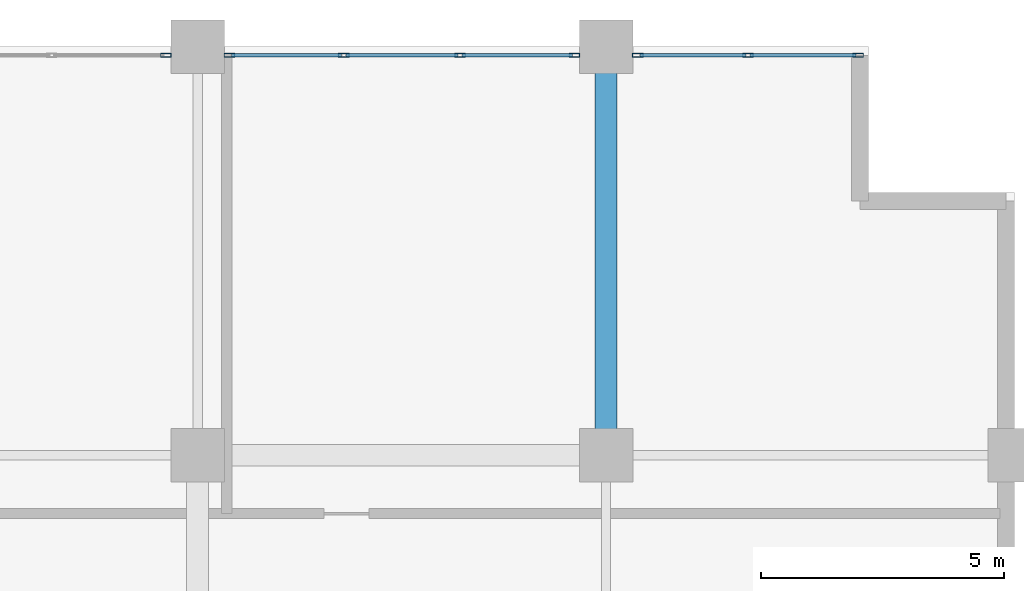
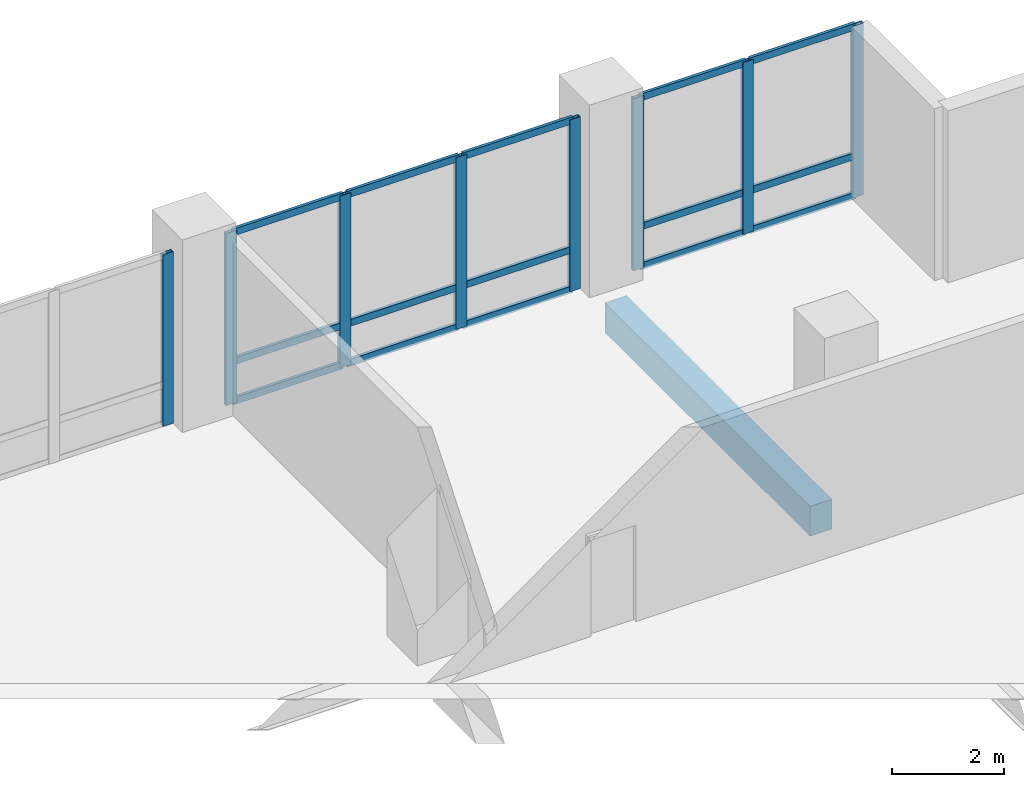
# One storey, part 8 of 21: 23 members, 1 beam, 3 elements without a shape of their own.
"""IFC4 building model written with IfcOpenShell, lengths in metres."""

from ifc_helpers import new_model, si_unit, direction, frame, origin, origin_2d, place, context, subcontext, project, spatial, rectangle, hollow_rectangle, extrude, material, layer, layer_set, material_profile, profile_set, type_object, element, aggregate, save


model = new_model("IFC4")

# Units and contexts
model_context = context("Model", 3, precision=1e-05, world=origin(), true_north=direction((0.0, 1.0)))
body_context = subcontext(model_context, "Body", "Model", "MODEL_VIEW")
ifc_project = project(units=[si_unit("LENGTHUNIT", "METRE"), si_unit("AREAUNIT", "SQUARE_METRE"), si_unit("VOLUMEUNIT", "CUBIC_METRE"), si_unit("PLANEANGLEUNIT", "RADIAN"), si_unit("MASSUNIT", "GRAM", prefix="KILO")], contexts=[model_context])

# Site, building, storey
site_placement = place(None, origin())
site = spatial("IfcSite", under=ifc_project, at=site_placement, CompositionType="ELEMENT")
building_placement = place(site_placement, origin())
building = spatial("IfcBuilding", under=site, at=building_placement, Name="Koriwani Terraces Tower", CompositionType="ELEMENT")
storey_placement = place(building_placement, frame((0.0, 0.0, 224.0)))
storey = spatial("IfcBuildingStorey", under=building, at=storey_placement, Name="L55", CompositionType="ELEMENT", Elevation=224.0)

# Beam
ifc_material_1 = material(Name="Concrete C50/60", Category="concrete")
ifc_material_profile_1 = material_profile(ifc_material_1, rectangle(XDim=0.449951171875, YDim=0.64990234375, at=origin_2d()), Name="Concrete C50/60", Category="LoadBearing")
ifc_profile_set_1 = profile_set([ifc_material_profile_1], Name="Concrete C50/60")
beam_type = type_object("IfcBeamType", Name="BEAM_RC_GRID_450X650", PredefinedType="BEAM", material=ifc_profile_set_1)
beam_placement = place(storey_placement, frame((25.199951171875, 67.72998046875, -0.554931640625), z_axis=(0.0, 1.0, 0.0), x_axis=(-1.0, 0.0, 0.0)))
element("IfcBeam", 1, at=beam_placement, inside=storey, type_object=beam_type, Name="L55 Grid Beam 4 (67.2-75.6m)", PredefinedType="BEAM", context=body_context, shape_type="SweptSolid", body=[
    extrude(rectangle(XDim=0.449951171875, YDim=0.64990234375, at=origin_2d()), origin(), (0.0, 0.0, 1.0), 7.340087890625),
])

# Curtain wall, member
ifc_material_2 = material(Name="Anodised Bronze Aluminium", Category="aluminium")
ifc_layer = layer(ifc_material_2, 0.219970703125, Name="Anodised Bronze Aluminium")
ifc_layer_set = layer_set([ifc_layer], Name="Anodised Bronze Aluminium")
curtain_wall_type = type_object("IfcCurtainWallType", Name="CW_SKY_LOUNGE", PredefinedType="NOTDEFINED", material=ifc_layer_set)
curtain_wall_1_placement = place(storey_placement, origin())
curtain_wall_1 = element("IfcCurtainWall", 2, at=curtain_wall_1_placement, inside=storey, type_object=curtain_wall_type, Name="L55 Unitised Curtain Wall (N_TIP) Bay 2", PredefinedType="NOTDEFINED")
ifc_material_profile_2 = material_profile(ifc_material_2, hollow_rectangle(XDim=0.0849609375, YDim=0.219970703125, WallThickness=0.008056640625, at=origin_2d()), Name="Anodised Bronze Aluminium", Category="LoadBearing")
ifc_profile_set_2 = profile_set([ifc_material_profile_2], Name="Anodised Bronze Aluminium")
member_type_1 = type_object("IfcMemberType", Name="CW_MULLION_220X85", PredefinedType="MULLION", material=ifc_profile_set_2)
member_1_placement = place(storey_placement, frame((16.1474609375, 75.425048828125, 0.0), z_axis=(0.0, 0.0, 1.0), x_axis=(0.0, 1.0, 0.0)))
member_1 = element("IfcMember", 3, at=member_1_placement, type_object=member_type_1, Name="CW-SKY mullion 4", PredefinedType="MULLION", context=body_context, shape_type="SweptSolid", body=[
    extrude(hollow_rectangle(XDim=0.0849609375, YDim=0.219970703125, WallThickness=0.008056640625, at=origin_2d()), origin(), (0.0, 0.0, 1.0), 3.75),
])
aggregate(curtain_wall_1, [member_1])

# Curtain wall, members
curtain_wall_2_placement = place(storey_placement, origin())
curtain_wall_2 = element("IfcCurtainWall", 4, at=curtain_wall_2_placement, inside=storey, type_object=curtain_wall_type, Name="L55 Unitised Curtain Wall (N_TIP) Bay 3", PredefinedType="NOTDEFINED")
member_2_placement = place(storey_placement, frame((17.452392578125, 75.425048828125, 0.0), z_axis=(0.0, 0.0, 1.0), x_axis=(0.0, 1.0, 0.0)))
member_2 = element("IfcMember", 5, at=member_2_placement, type_object=member_type_1, Name="CW-SKY mullion 1", PredefinedType="MULLION", context=body_context, shape_type="SweptSolid", body=[
    extrude(hollow_rectangle(XDim=0.0849609375, YDim=0.219970703125, WallThickness=0.008056640625, at=origin_2d()), origin(), (0.0, 0.0, 1.0), 3.75),
])
member_3_placement = place(storey_placement, frame((19.80322265625, 75.425048828125, 0.0), z_axis=(0.0, 0.0, 1.0), x_axis=(0.0, 1.0, 0.0)))
member_3 = element("IfcMember", 6, at=member_3_placement, type_object=member_type_1, Name="CW-SKY mullion 2", PredefinedType="MULLION", context=body_context, shape_type="SweptSolid", body=[
    extrude(hollow_rectangle(XDim=0.0849609375, YDim=0.219970703125, WallThickness=0.008056640625, at=origin_2d()), origin(), (0.0, 0.0, 1.0), 3.75),
])
member_4_placement = place(storey_placement, frame((22.19677734375, 75.425048828125, 0.0), z_axis=(0.0, 0.0, 1.0), x_axis=(0.0, 1.0, 0.0)))
member_4 = element("IfcMember", 7, at=member_4_placement, type_object=member_type_1, Name="CW-SKY mullion 3", PredefinedType="MULLION", context=body_context, shape_type="SweptSolid", body=[
    extrude(hollow_rectangle(XDim=0.0849609375, YDim=0.219970703125, WallThickness=0.008056640625, at=origin_2d()), origin(), (0.0, 0.0, 1.0), 3.75),
])
member_5_placement = place(storey_placement, frame((24.547607421875, 75.425048828125, 0.0), z_axis=(0.0, 0.0, 1.0), x_axis=(0.0, 1.0, 0.0)))
member_5 = element("IfcMember", 8, at=member_5_placement, type_object=member_type_1, Name="CW-SKY mullion 4", PredefinedType="MULLION", context=body_context, shape_type="SweptSolid", body=[
    extrude(hollow_rectangle(XDim=0.0849609375, YDim=0.219970703125, WallThickness=0.008056640625, at=origin_2d()), origin(), (0.0, 0.0, 1.0), 3.75),
])

curtain_wall_3_placement = place(storey_placement, origin())
curtain_wall_3 = element("IfcCurtainWall", 9, at=curtain_wall_3_placement, inside=storey, type_object=curtain_wall_type, Name="L55 Unitised Curtain Wall (N_TIP) Bay 4", PredefinedType="NOTDEFINED")
member_6_placement = place(storey_placement, frame((25.8525390625, 75.425048828125, 0.0), z_axis=(0.0, 0.0, 1.0), x_axis=(0.0, 1.0, 0.0)))
member_6 = element("IfcMember", 10, at=member_6_placement, type_object=member_type_1, Name="CW-SKY mullion 1", PredefinedType="MULLION", context=body_context, shape_type="SweptSolid", body=[
    extrude(hollow_rectangle(XDim=0.0849609375, YDim=0.219970703125, WallThickness=0.008056640625, at=origin_2d()), origin(), (0.0, 0.0, 1.0), 3.75),
])
member_7_placement = place(storey_placement, frame((28.117431640625, 75.425048828125, 0.0), z_axis=(0.0, 0.0, 1.0), x_axis=(0.0, 1.0, 0.0)))
member_7 = element("IfcMember", 11, at=member_7_placement, type_object=member_type_1, Name="CW-SKY mullion 2", PredefinedType="MULLION", context=body_context, shape_type="SweptSolid", body=[
    extrude(hollow_rectangle(XDim=0.0849609375, YDim=0.219970703125, WallThickness=0.008056640625, at=origin_2d()), origin(), (0.0, 0.0, 1.0), 3.75),
])
member_8_placement = place(storey_placement, frame((30.382568359375, 75.425048828125, 0.0), z_axis=(0.0, 0.0, 1.0), x_axis=(0.0, 1.0, 0.0)))
member_8 = element("IfcMember", 12, at=member_8_placement, type_object=member_type_1, Name="CW-SKY mullion 3", PredefinedType="MULLION", context=body_context, shape_type="SweptSolid", body=[
    extrude(hollow_rectangle(XDim=0.0849609375, YDim=0.219970703125, WallThickness=0.008056640625, at=origin_2d()), origin(), (0.0, 0.0, 1.0), 3.75),
])

# Member
ifc_material_profile_3 = material_profile(ifc_material_2, hollow_rectangle(XDim=0.06494140625, YDim=0.14990234375, WallThickness=0.0048828125, at=origin_2d()), Name="Anodised Bronze Aluminium", Category="LoadBearing")
ifc_profile_set_3 = profile_set([ifc_material_profile_3], Name="Anodised Bronze Aluminium")
member_type_2 = type_object("IfcMemberType", Name="CW_TRANSOM_150X65", PredefinedType="USERDEFINED", material=ifc_profile_set_3)
member_9_placement = place(storey_placement, frame((17.4951171875, 75.425048828125, 0.032470703125), z_axis=(1.0, 0.0, 0.0), x_axis=(0.0, 1.0, 0.0)))
member_9 = element("IfcMember", 13, at=member_9_placement, type_object=member_type_2, Name="CW-SKY transom 1.1", ObjectType="TRANSOM", PredefinedType="USERDEFINED", context=body_context, shape_type="SweptSolid", body=[
    extrude(hollow_rectangle(XDim=0.06494140625, YDim=0.14990234375, WallThickness=0.0048828125, at=origin_2d()), origin(), (0.0, 0.0, 1.0), 2.265625),
])

member_10_placement = place(storey_placement, frame((17.4951171875, 75.425048828125, 0.89990234375), z_axis=(1.0, 0.0, 0.0), x_axis=(0.0, 1.0, 0.0)))
member_10 = element("IfcMember", 14, at=member_10_placement, type_object=member_type_2, Name="CW-SKY transom 1.2", ObjectType="TRANSOM", PredefinedType="USERDEFINED", context=body_context, shape_type="SweptSolid", body=[
    extrude(hollow_rectangle(XDim=0.06494140625, YDim=0.14990234375, WallThickness=0.0048828125, at=origin_2d()), origin(), (0.0, 0.0, 1.0), 2.265625),
])

member_11_placement = place(storey_placement, frame((17.4951171875, 75.425048828125, 3.717529296875), z_axis=(1.0, 0.0, 0.0), x_axis=(0.0, 1.0, 0.0)))
member_11 = element("IfcMember", 15, at=member_11_placement, type_object=member_type_2, Name="CW-SKY transom 1.3", ObjectType="TRANSOM", PredefinedType="USERDEFINED", context=body_context, shape_type="SweptSolid", body=[
    extrude(hollow_rectangle(XDim=0.06494140625, YDim=0.14990234375, WallThickness=0.0048828125, at=origin_2d()), origin(), (0.0, 0.0, 1.0), 2.265625),
])

member_12_placement = place(storey_placement, frame((19.845947265625, 75.425048828125, 0.032470703125), z_axis=(1.0, 0.0, 0.0), x_axis=(0.0, 1.0, 0.0)))
member_12 = element("IfcMember", 16, at=member_12_placement, type_object=member_type_2, Name="CW-SKY transom 2.1", ObjectType="TRANSOM", PredefinedType="USERDEFINED", context=body_context, shape_type="SweptSolid", body=[
    extrude(hollow_rectangle(XDim=0.06494140625, YDim=0.14990234375, WallThickness=0.0048828125, at=origin_2d()), origin(), (0.0, 0.0, 1.0), 2.30810546875),
])

member_13_placement = place(storey_placement, frame((19.845947265625, 75.425048828125, 0.89990234375), z_axis=(1.0, 0.0, 0.0), x_axis=(0.0, 1.0, 0.0)))
member_13 = element("IfcMember", 17, at=member_13_placement, type_object=member_type_2, Name="CW-SKY transom 2.2", ObjectType="TRANSOM", PredefinedType="USERDEFINED", context=body_context, shape_type="SweptSolid", body=[
    extrude(hollow_rectangle(XDim=0.06494140625, YDim=0.14990234375, WallThickness=0.0048828125, at=origin_2d()), origin(), (0.0, 0.0, 1.0), 2.30810546875),
])

member_14_placement = place(storey_placement, frame((19.845947265625, 75.425048828125, 3.717529296875), z_axis=(1.0, 0.0, 0.0), x_axis=(0.0, 1.0, 0.0)))
member_14 = element("IfcMember", 18, at=member_14_placement, type_object=member_type_2, Name="CW-SKY transom 2.3", ObjectType="TRANSOM", PredefinedType="USERDEFINED", context=body_context, shape_type="SweptSolid", body=[
    extrude(hollow_rectangle(XDim=0.06494140625, YDim=0.14990234375, WallThickness=0.0048828125, at=origin_2d()), origin(), (0.0, 0.0, 1.0), 2.30810546875),
])

member_15_placement = place(storey_placement, frame((22.2392578125, 75.425048828125, 0.032470703125), z_axis=(1.0, 0.0, 0.0), x_axis=(0.0, 1.0, 0.0)))
member_15 = element("IfcMember", 19, at=member_15_placement, type_object=member_type_2, Name="CW-SKY transom 3.1", ObjectType="TRANSOM", PredefinedType="USERDEFINED", context=body_context, shape_type="SweptSolid", body=[
    extrude(hollow_rectangle(XDim=0.06494140625, YDim=0.14990234375, WallThickness=0.0048828125, at=origin_2d()), origin(), (0.0, 0.0, 1.0), 2.265625),
])

member_16_placement = place(storey_placement, frame((22.2392578125, 75.425048828125, 0.89990234375), z_axis=(1.0, 0.0, 0.0), x_axis=(0.0, 1.0, 0.0)))
member_16 = element("IfcMember", 20, at=member_16_placement, type_object=member_type_2, Name="CW-SKY transom 3.2", ObjectType="TRANSOM", PredefinedType="USERDEFINED", context=body_context, shape_type="SweptSolid", body=[
    extrude(hollow_rectangle(XDim=0.06494140625, YDim=0.14990234375, WallThickness=0.0048828125, at=origin_2d()), origin(), (0.0, 0.0, 1.0), 2.265625),
])

member_17_placement = place(storey_placement, frame((22.2392578125, 75.425048828125, 3.717529296875), z_axis=(1.0, 0.0, 0.0), x_axis=(0.0, 1.0, 0.0)))
member_17 = element("IfcMember", 21, at=member_17_placement, type_object=member_type_2, Name="CW-SKY transom 3.3", ObjectType="TRANSOM", PredefinedType="USERDEFINED", context=body_context, shape_type="SweptSolid", body=[
    extrude(hollow_rectangle(XDim=0.06494140625, YDim=0.14990234375, WallThickness=0.0048828125, at=origin_2d()), origin(), (0.0, 0.0, 1.0), 2.265625),
])

aggregate(curtain_wall_2, [member_2, member_3, member_4, member_5, member_9, member_10, member_11, member_12, member_13, member_14, member_15, member_16, member_17])

member_18_placement = place(storey_placement, frame((25.89501953125, 75.425048828125, 0.032470703125), z_axis=(1.0, 0.0, 0.0), x_axis=(0.0, 1.0, 0.0)))
member_18 = element("IfcMember", 22, at=member_18_placement, type_object=member_type_2, Name="CW-SKY transom 1.1", ObjectType="TRANSOM", PredefinedType="USERDEFINED", context=body_context, shape_type="SweptSolid", body=[
    extrude(hollow_rectangle(XDim=0.06494140625, YDim=0.14990234375, WallThickness=0.0048828125, at=origin_2d()), origin(), (0.0, 0.0, 1.0), 2.179931640625),
])

member_19_placement = place(storey_placement, frame((25.89501953125, 75.425048828125, 0.89990234375), z_axis=(1.0, 0.0, 0.0), x_axis=(0.0, 1.0, 0.0)))
member_19 = element("IfcMember", 23, at=member_19_placement, type_object=member_type_2, Name="CW-SKY transom 1.2", ObjectType="TRANSOM", PredefinedType="USERDEFINED", context=body_context, shape_type="SweptSolid", body=[
    extrude(hollow_rectangle(XDim=0.06494140625, YDim=0.14990234375, WallThickness=0.0048828125, at=origin_2d()), origin(), (0.0, 0.0, 1.0), 2.179931640625),
])

member_20_placement = place(storey_placement, frame((25.89501953125, 75.425048828125, 3.717529296875), z_axis=(1.0, 0.0, 0.0), x_axis=(0.0, 1.0, 0.0)))
member_20 = element("IfcMember", 24, at=member_20_placement, type_object=member_type_2, Name="CW-SKY transom 1.3", ObjectType="TRANSOM", PredefinedType="USERDEFINED", context=body_context, shape_type="SweptSolid", body=[
    extrude(hollow_rectangle(XDim=0.06494140625, YDim=0.14990234375, WallThickness=0.0048828125, at=origin_2d()), origin(), (0.0, 0.0, 1.0), 2.179931640625),
])

member_21_placement = place(storey_placement, frame((28.159912109375, 75.425048828125, 0.032470703125), z_axis=(1.0, 0.0, 0.0), x_axis=(0.0, 1.0, 0.0)))
member_21 = element("IfcMember", 25, at=member_21_placement, type_object=member_type_2, Name="CW-SKY transom 2.1", ObjectType="TRANSOM", PredefinedType="USERDEFINED", context=body_context, shape_type="SweptSolid", body=[
    extrude(hollow_rectangle(XDim=0.06494140625, YDim=0.14990234375, WallThickness=0.0048828125, at=origin_2d()), origin(), (0.0, 0.0, 1.0), 2.18017578125),
])

member_22_placement = place(storey_placement, frame((28.159912109375, 75.425048828125, 0.89990234375), z_axis=(1.0, 0.0, 0.0), x_axis=(0.0, 1.0, 0.0)))
member_22 = element("IfcMember", 26, at=member_22_placement, type_object=member_type_2, Name="CW-SKY transom 2.2", ObjectType="TRANSOM", PredefinedType="USERDEFINED", context=body_context, shape_type="SweptSolid", body=[
    extrude(hollow_rectangle(XDim=0.06494140625, YDim=0.14990234375, WallThickness=0.0048828125, at=origin_2d()), origin(), (0.0, 0.0, 1.0), 2.18017578125),
])

member_23_placement = place(storey_placement, frame((28.159912109375, 75.425048828125, 3.717529296875), z_axis=(1.0, 0.0, 0.0), x_axis=(0.0, 1.0, 0.0)))
member_23 = element("IfcMember", 27, at=member_23_placement, type_object=member_type_2, Name="CW-SKY transom 2.3", ObjectType="TRANSOM", PredefinedType="USERDEFINED", context=body_context, shape_type="SweptSolid", body=[
    extrude(hollow_rectangle(XDim=0.06494140625, YDim=0.14990234375, WallThickness=0.0048828125, at=origin_2d()), origin(), (0.0, 0.0, 1.0), 2.18017578125),
])

aggregate(curtain_wall_3, [member_6, member_7, member_8, member_18, member_19, member_20, member_21, member_22, member_23])

save(model, "model.ifc")
